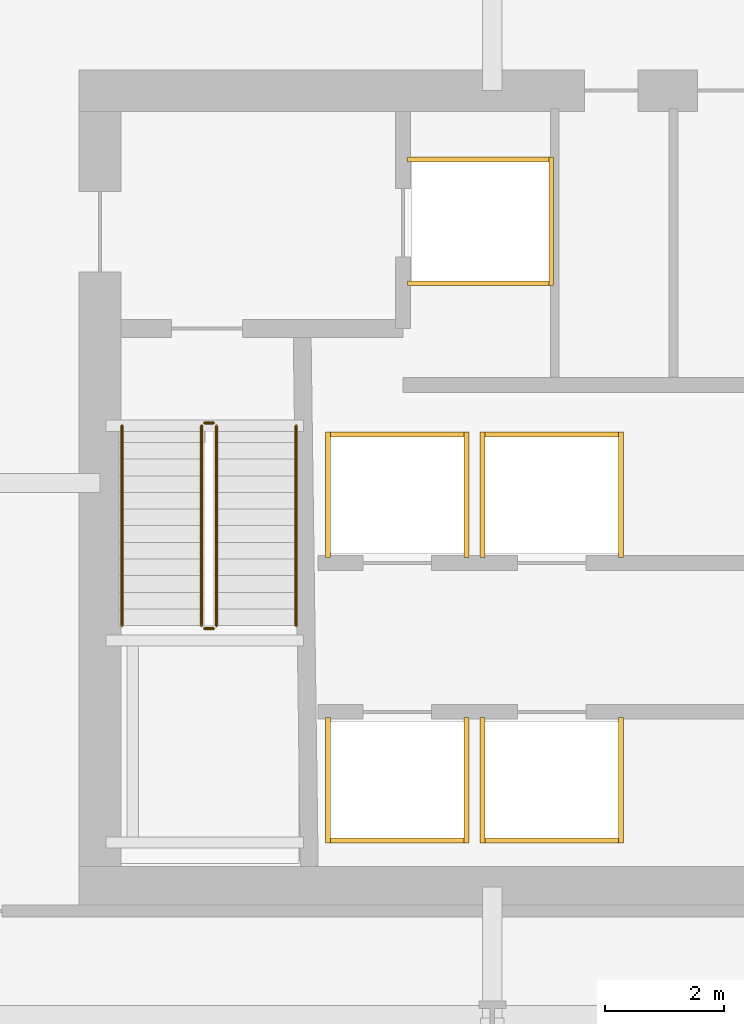
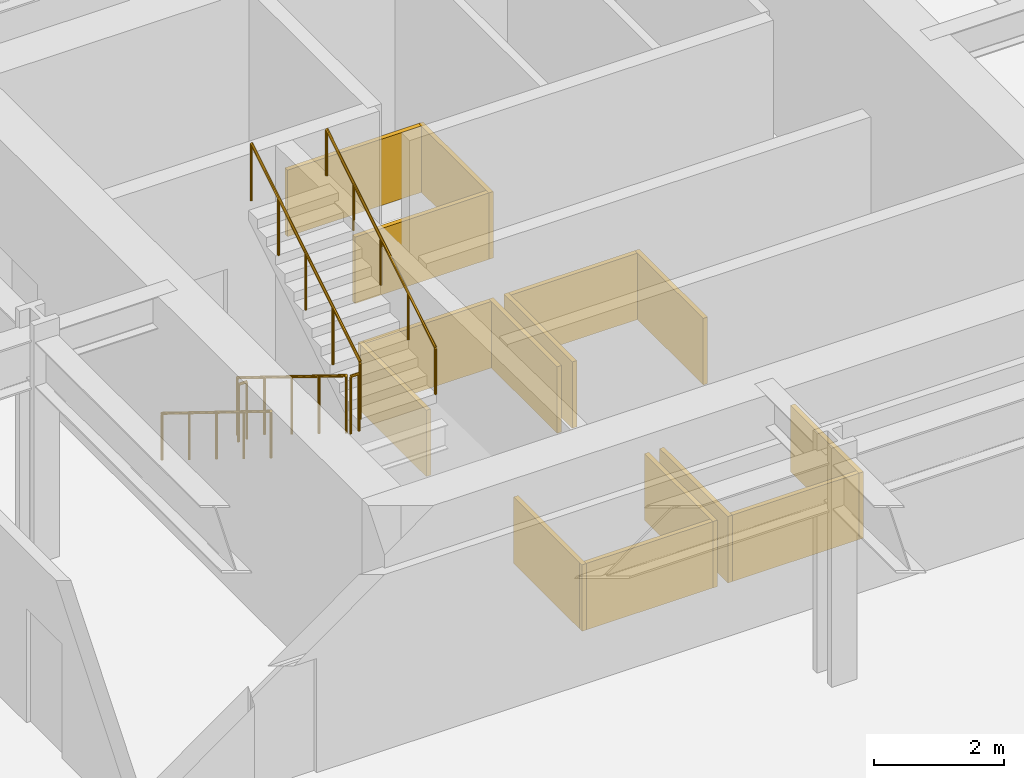
# One storey, part 5 of 6: 15 coverings, 6 railings.
"""IFC4 building model written with IfcOpenShell, lengths in metres."""

from ifc_helpers import new_model, si_unit, direction, frame, origin, origin_2d, place, context, subcontext, project, spatial, rectangle, circle, extrude, material, layer, layer_set, type_object, element, save


model = new_model("IFC4")

# Units and contexts
model_context = context("Model", 3, precision=1e-05, world=origin(), true_north=direction((0.0, 1.0)))
body_context = subcontext(model_context, "Body", "Model", "MODEL_VIEW")
ifc_project = project(units=[si_unit("LENGTHUNIT", "METRE"), si_unit("AREAUNIT", "SQUARE_METRE"), si_unit("VOLUMEUNIT", "CUBIC_METRE"), si_unit("PLANEANGLEUNIT", "RADIAN"), si_unit("MASSUNIT", "GRAM", prefix="KILO")], contexts=[model_context])

# Site, building, storey
site_placement = place(None, origin())
site = spatial("IfcSite", under=ifc_project, at=site_placement, CompositionType="ELEMENT")
building_placement = place(site_placement, origin())
building = spatial("IfcBuilding", under=site, at=building_placement, Name="Solvaryn Broadcast Tower", CompositionType="ELEMENT")
storey_placement = place(building_placement, frame((0.0, 0.0, -4.5)))
storey = spatial("IfcBuildingStorey", under=building, at=storey_placement, Name="B01", CompositionType="ELEMENT", Elevation=-4.5)

# Coverings
ifc_material_1 = material(Name="Fire-Rated Gypsum Shaftwall Liner", Category="concrete")
ifc_layer = layer(ifc_material_1, 0.080078125)
ifc_layer_set = layer_set([ifc_layer], Name="CV-SHAFT-LINER")
covering_type = type_object("IfcCoveringType", Name="CV-SHAFT-LINER", PredefinedType="CLADDING", material=ifc_layer_set)
for number, where, z_axis, x_axis, name in (
    (1, (35.800048828125, 23.43994140625, 0.0), (0.0, 0.0, 1.0), (1.0, 0.0, 0.0), "B01 FL2 Hoistway Shaft Liner North"),
    (2, (35.800048828125, 21.360107421875, 0.0), (0.0, 0.0, 1.0), (1.0, 0.0, 0.0), "B01 FL2 Hoistway Shaft Liner South"),
):
    element("IfcCovering", number, at=place(storey_placement, frame(where, z_axis=z_axis, x_axis=x_axis)), inside=storey, type_object=covering_type, Name=name, PredefinedType="CLADDING", context=body_context, shape_type="SweptSolid", body=[
        extrude(rectangle(XDim=2.4599609375, YDim=0.080078125, at=origin_2d()), origin(), (0.0, 0.0, 1.0), 1.25),
    ])
covering_1_placement = place(storey_placement, frame((36.989990234375, 22.39990234375, 0.0), z_axis=(0.0, 0.0, 1.0), x_axis=(1.0, 0.0, 0.0)))
element("IfcCovering", 3, at=covering_1_placement, inside=storey, type_object=covering_type, Name="B01 FL2 Hoistway Shaft Liner East", PredefinedType="CLADDING", context=body_context, shape_type="SweptSolid", body=[
    extrude(rectangle(XDim=0.080078125, YDim=2.159912109375, at=origin_2d()), origin(), (0.0, 0.0, 1.0), 1.25),
])
covering_2_placement = place(storey_placement, frame((34.39990234375, 11.985107421875, 0.0), z_axis=(0.0, 0.0, 1.0), x_axis=(1.0, 0.0, 0.0)))
element("IfcCovering", 4, at=covering_2_placement, inside=storey, type_object=covering_type, Name="B01 PL1 Hoistway Shaft Liner South", PredefinedType="CLADDING", context=body_context, shape_type="SweptSolid", body=[
    extrude(rectangle(XDim=2.409912109375, YDim=0.080078125, at=origin_2d()), origin(), (0.0, 0.0, 1.0), 1.25),
])
for number, where, z_axis, x_axis, name in (
    (5, (35.56494140625, 13.0, 0.0), (0.0, 0.0, 1.0), (1.0, 0.0, 0.0), "B01 PL1 Hoistway Shaft Liner East"),
    (6, (33.235107421875, 13.0, 0.0), (0.0, 0.0, 1.0), (1.0, 0.0, 0.0), "B01 PL1 Hoistway Shaft Liner West"),
):
    element("IfcCovering", number, at=place(storey_placement, frame(where, z_axis=z_axis, x_axis=x_axis)), inside=storey, type_object=covering_type, Name=name, PredefinedType="CLADDING", context=body_context, shape_type="SweptSolid", body=[
        extrude(rectangle(XDim=0.080078125, YDim=2.110107421875, at=origin_2d()), origin(), (0.0, 0.0, 1.0), 1.25),
    ])
covering_3_placement = place(storey_placement, frame((37.0, 11.985107421875, 0.0), z_axis=(0.0, 0.0, 1.0), x_axis=(1.0, 0.0, 0.0)))
element("IfcCovering", 7, at=covering_3_placement, inside=storey, type_object=covering_type, Name="B01 PL2 Hoistway Shaft Liner South", PredefinedType="CLADDING", context=body_context, shape_type="SweptSolid", body=[
    extrude(rectangle(XDim=2.409912109375, YDim=0.080078125, at=origin_2d()), origin(), (0.0, 0.0, 1.0), 1.25),
])
for number, where, z_axis, x_axis, name in (
    (8, (38.1650390625, 13.0, 0.0), (0.0, 0.0, 1.0), (1.0, 0.0, 0.0), "B01 PL2 Hoistway Shaft Liner East"),
    (9, (35.8349609375, 13.0, 0.0), (0.0, 0.0, 1.0), (1.0, 0.0, 0.0), "B01 PL2 Hoistway Shaft Liner West"),
):
    element("IfcCovering", number, at=place(storey_placement, frame(where, z_axis=z_axis, x_axis=x_axis)), inside=storey, type_object=covering_type, Name=name, PredefinedType="CLADDING", context=body_context, shape_type="SweptSolid", body=[
        extrude(rectangle(XDim=0.080078125, YDim=2.110107421875, at=origin_2d()), origin(), (0.0, 0.0, 1.0), 1.25),
    ])
covering_4_placement = place(storey_placement, frame((34.39990234375, 18.81494140625, 0.0), z_axis=(0.0, 0.0, 1.0), x_axis=(1.0, 0.0, 0.0)))
element("IfcCovering", 10, at=covering_4_placement, inside=storey, type_object=covering_type, Name="B01 PL3 Hoistway Shaft Liner North", PredefinedType="CLADDING", context=body_context, shape_type="SweptSolid", body=[
    extrude(rectangle(XDim=2.409912109375, YDim=0.080078125, at=origin_2d()), origin(), (0.0, 0.0, 1.0), 1.25),
])
for number, where, z_axis, x_axis, name in (
    (11, (35.56494140625, 17.800048828125, 0.0), (0.0, 0.0, 1.0), (1.0, 0.0, 0.0), "B01 PL3 Hoistway Shaft Liner East"),
    (12, (33.235107421875, 17.800048828125, 0.0), (0.0, 0.0, 1.0), (1.0, 0.0, 0.0), "B01 PL3 Hoistway Shaft Liner West"),
):
    element("IfcCovering", number, at=place(storey_placement, frame(where, z_axis=z_axis, x_axis=x_axis)), inside=storey, type_object=covering_type, Name=name, PredefinedType="CLADDING", context=body_context, shape_type="SweptSolid", body=[
        extrude(rectangle(XDim=0.080078125, YDim=2.110107421875, at=origin_2d()), origin(), (0.0, 0.0, 1.0), 1.25),
    ])
covering_5_placement = place(storey_placement, frame((37.0, 18.81494140625, 0.0), z_axis=(0.0, 0.0, 1.0), x_axis=(1.0, 0.0, 0.0)))
element("IfcCovering", 13, at=covering_5_placement, inside=storey, type_object=covering_type, Name="B01 PL4 Hoistway Shaft Liner North", PredefinedType="CLADDING", context=body_context, shape_type="SweptSolid", body=[
    extrude(rectangle(XDim=2.409912109375, YDim=0.080078125, at=origin_2d()), origin(), (0.0, 0.0, 1.0), 1.25),
])
for number, where, z_axis, x_axis, name in (
    (14, (38.1650390625, 17.800048828125, 0.0), (0.0, 0.0, 1.0), (1.0, 0.0, 0.0), "B01 PL4 Hoistway Shaft Liner East"),
    (15, (35.8349609375, 17.800048828125, 0.0), (0.0, 0.0, 1.0), (1.0, 0.0, 0.0), "B01 PL4 Hoistway Shaft Liner West"),
):
    element("IfcCovering", number, at=place(storey_placement, frame(where, z_axis=z_axis, x_axis=x_axis)), inside=storey, type_object=covering_type, Name=name, PredefinedType="CLADDING", context=body_context, shape_type="SweptSolid", body=[
        extrude(rectangle(XDim=0.080078125, YDim=2.110107421875, at=origin_2d()), origin(), (0.0, 0.0, 1.0), 1.25),
    ])

# Railings
ifc_material_2 = material(Name="Painted Steel Stair Well Guard", Category="steel")
railing_type_1 = type_object("IfcRailingType", Name="RL-STAIR-GUARD", PredefinedType="BALUSTRADE", material=ifc_material_2)
railing_1_placement = place(storey_placement, frame((31.110107421875, 18.9599609375, 0.173095703125)))
element("IfcRailing", 16, at=railing_1_placement, inside=storey, type_object=railing_type_1, Name="B01 ST3 stair guard 1", PredefinedType="BALUSTRADE", context=body_context, shape_type="SweptSolid", body=[
    extrude(circle(Radius=0.02392578125, at=origin_2d()), frame((0.0, 0.0, 1.076171875), z_axis=(0.0, -0.850606129759, 0.525803396734), x_axis=(1.0, 0.0, 0.0)), (0.0, 0.0, 1.0), 3.949951171875),
    extrude(circle(Radius=0.02099609375, at=origin_2d()), origin(), (0.0, 0.0, 1.0), 1.052001953125),
    extrude(circle(Radius=0.02099609375, at=origin_2d()), frame((0.0, -0.83984375, 0.519287109375)), (0.0, 0.0, 1.0), 1.052001953125),
    extrude(circle(Radius=0.02099609375, at=origin_2d()), frame((0.0, -1.679931640625, 1.03857421875)), (0.0, 0.0, 1.0), 1.052001953125),
    extrude(circle(Radius=0.02099609375, at=origin_2d()), frame((0.0, -2.52001953125, 1.5576171875)), (0.0, 0.0, 1.0), 1.052001953125),
    extrude(circle(Radius=0.02099609375, at=origin_2d()), frame((0.0, -3.35986328125, 2.076904296875)), (0.0, 0.0, 1.0), 1.052001953125),
])
railing_2_placement = place(storey_placement, frame((31.159912109375, 15.550048828125, 2.25)))
element("IfcRailing", 17, at=railing_2_placement, inside=storey, type_object=railing_type_1, Name="B01 ST3 stair guard 2", PredefinedType="BALUSTRADE", context=body_context, shape_type="SweptSolid", body=[
    extrude(circle(Radius=0.02392578125, at=origin_2d()), frame((0.0, 0.0, 1.076171875), z_axis=(1.0, 0.0, 0.0), x_axis=(0.0, 1.0, 0.0)), (0.0, 0.0, 1.0), 0.150146484375),
    extrude(circle(Radius=0.02099609375, at=origin_2d()), origin(), (0.0, 0.0, 1.0), 1.052001953125),
    extrude(circle(Radius=0.02099609375, at=origin_2d()), frame((0.150146484375, 0.0, 0.0)), (0.0, 0.0, 1.0), 1.052001953125),
])
railing_3_placement = place(storey_placement, frame((31.360107421875, 15.60009765625, 2.423095703125)))
element("IfcRailing", 18, at=railing_3_placement, inside=storey, type_object=railing_type_1, Name="B01 ST3 stair guard 3", PredefinedType="BALUSTRADE", context=body_context, shape_type="SweptSolid", body=[
    extrude(circle(Radius=0.02392578125, at=origin_2d()), frame((0.0, 0.0, 1.076171875), z_axis=(0.0, 0.850606129759, 0.525803396734), x_axis=(-1.0, 0.0, 0.0)), (0.0, 0.0, 1.0), 3.949951171875),
    extrude(circle(Radius=0.02099609375, at=origin_2d()), origin(), (0.0, 0.0, 1.0), 1.052001953125),
    extrude(circle(Radius=0.02099609375, at=origin_2d()), frame((0.0, 0.83984375, 0.519287109375)), (0.0, 0.0, 1.0), 1.052001953125),
    extrude(circle(Radius=0.02099609375, at=origin_2d()), frame((0.0, 1.679931640625, 1.03857421875)), (0.0, 0.0, 1.0), 1.052001953125),
    extrude(circle(Radius=0.02099609375, at=origin_2d()), frame((0.0, 2.52001953125, 1.5576171875)), (0.0, 0.0, 1.0), 1.052001953125),
    extrude(circle(Radius=0.02099609375, at=origin_2d()), frame((0.0, 3.35986328125, 2.076904296875)), (0.0, 0.0, 1.0), 1.052001953125),
])
railing_4_placement = place(storey_placement, frame((31.159912109375, 19.010009765625, 0.0)))
element("IfcRailing", 19, at=railing_4_placement, inside=storey, type_object=railing_type_1, Name="B01 ST3 stair guard 4", PredefinedType="BALUSTRADE", context=body_context, shape_type="SweptSolid", body=[
    extrude(circle(Radius=0.02392578125, at=origin_2d()), frame((0.0, 0.0, 1.076171875), z_axis=(1.0, 0.0, 0.0), x_axis=(0.0, 1.0, 0.0)), (0.0, 0.0, 1.0), 0.150146484375),
    extrude(circle(Radius=0.02099609375, at=origin_2d()), origin(), (0.0, 0.0, 1.0), 1.052001953125),
    extrude(circle(Radius=0.02099609375, at=origin_2d()), frame((0.150146484375, 0.0, 0.0)), (0.0, 0.0, 1.0), 1.052001953125),
])
ifc_material_3 = material(Name="Brushed Stainless Steel Tubular Handrail", Category="steel")
railing_type_2 = type_object("IfcRailingType", Name="RL-STAIR-HANDRAIL", PredefinedType="HANDRAIL", material=ifc_material_3)
railing_5_placement = place(storey_placement, frame((29.77001953125, 18.9599609375, 0.173095703125)))
element("IfcRailing", 20, at=railing_5_placement, inside=storey, type_object=railing_type_2, Name="B01 ST3 stair handrail 1", PredefinedType="HANDRAIL", context=body_context, shape_type="SweptSolid", body=[
    extrude(circle(Radius=0.02392578125, at=origin_2d()), frame((0.0, 0.0, 0.8759765625), z_axis=(0.0, -0.850606129759, 0.525803396734), x_axis=(1.0, 0.0, 0.0)), (0.0, 0.0, 1.0), 3.949951171875),
    extrude(circle(Radius=0.02099609375, at=origin_2d()), origin(), (0.0, 0.0, 1.0), 0.851806640625),
    extrude(circle(Radius=0.02099609375, at=origin_2d()), frame((0.0, -0.83984375, 0.519287109375)), (0.0, 0.0, 1.0), 0.851806640625),
    extrude(circle(Radius=0.02099609375, at=origin_2d()), frame((0.0, -1.679931640625, 1.03857421875)), (0.0, 0.0, 1.0), 0.851806640625),
    extrude(circle(Radius=0.02099609375, at=origin_2d()), frame((0.0, -2.52001953125, 1.5576171875)), (0.0, 0.0, 1.0), 0.851806640625),
    extrude(circle(Radius=0.02099609375, at=origin_2d()), frame((0.0, -3.35986328125, 2.076904296875)), (0.0, 0.0, 1.0), 0.851806640625),
])
railing_6_placement = place(storey_placement, frame((32.699951171875, 15.60009765625, 2.423095703125)))
element("IfcRailing", 21, at=railing_6_placement, inside=storey, type_object=railing_type_2, Name="B01 ST3 stair handrail 2", PredefinedType="HANDRAIL", context=body_context, shape_type="SweptSolid", body=[
    extrude(circle(Radius=0.02392578125, at=origin_2d()), frame((0.0, 0.0, 0.8759765625), z_axis=(0.0, 0.850606129759, 0.525803396734), x_axis=(-1.0, 0.0, 0.0)), (0.0, 0.0, 1.0), 3.949951171875),
    extrude(circle(Radius=0.02099609375, at=origin_2d()), origin(), (0.0, 0.0, 1.0), 0.851806640625),
    extrude(circle(Radius=0.02099609375, at=origin_2d()), frame((0.0, 0.83984375, 0.519287109375)), (0.0, 0.0, 1.0), 0.851806640625),
    extrude(circle(Radius=0.02099609375, at=origin_2d()), frame((0.0, 1.679931640625, 1.03857421875)), (0.0, 0.0, 1.0), 0.851806640625),
    extrude(circle(Radius=0.02099609375, at=origin_2d()), frame((0.0, 2.52001953125, 1.5576171875)), (0.0, 0.0, 1.0), 0.851806640625),
    extrude(circle(Radius=0.02099609375, at=origin_2d()), frame((0.0, 3.35986328125, 2.076904296875)), (0.0, 0.0, 1.0), 0.851806640625),
])

save(model, "model.ifc")
